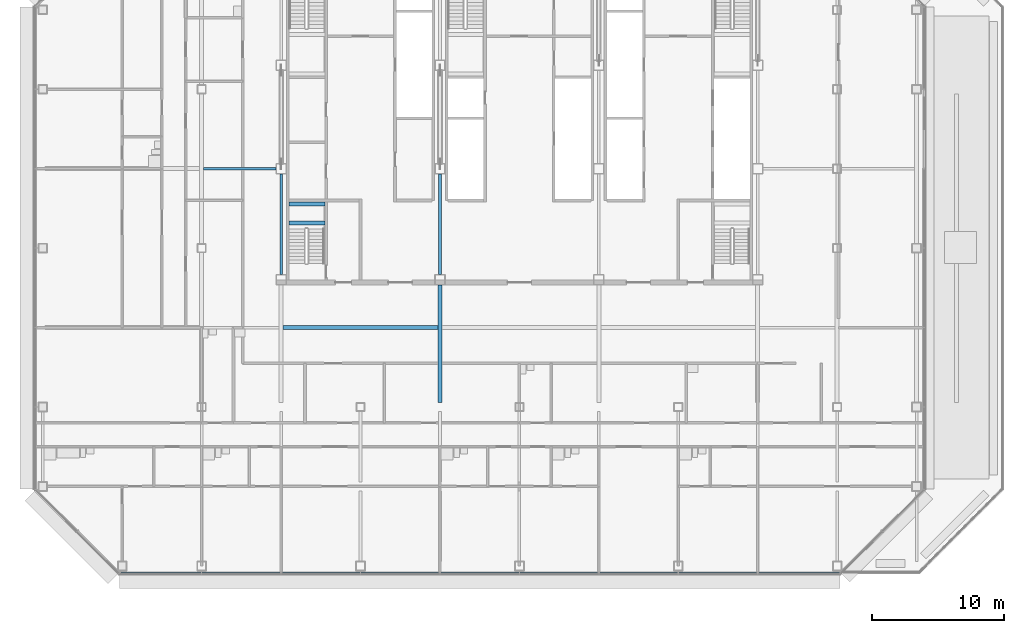
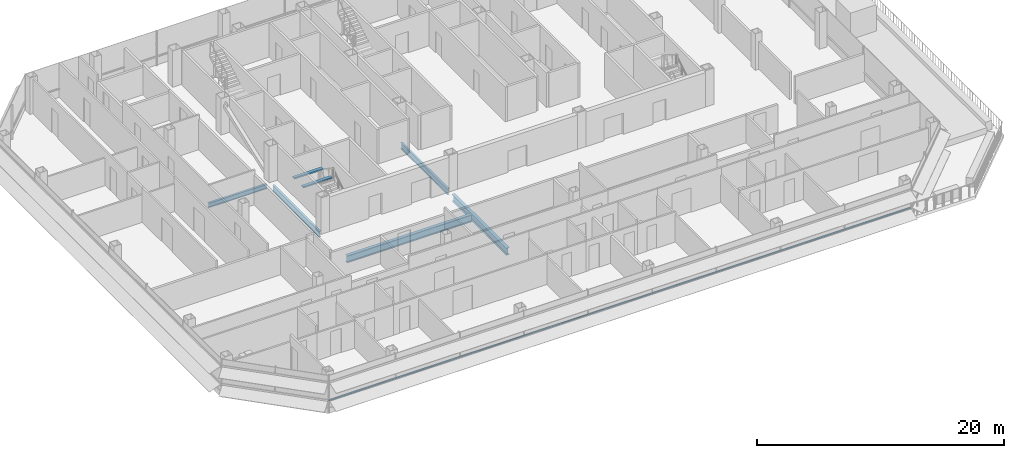
# One storey, part 7 of 27: 7 beams, 1 member, 1 element without a shape of its own.
"""IFC4 building model written with IfcOpenShell, lengths in metres."""

from ifc_helpers import new_model, si_unit, direction, frame, origin, origin_2d, place, context, subcontext, project, spatial, rectangle, i_section, extrude, material, material_profile, profile_set, type_object, element, aggregate, save


model = new_model("IFC4")

# Units and contexts
model_context = context("Model", 3, precision=1e-05, world=origin(), true_north=direction((0.0, 1.0)))
body_context = subcontext(model_context, "Body", "Model", "MODEL_VIEW")
ifc_project = project(units=[si_unit("LENGTHUNIT", "METRE"), si_unit("AREAUNIT", "SQUARE_METRE"), si_unit("VOLUMEUNIT", "CUBIC_METRE"), si_unit("PLANEANGLEUNIT", "RADIAN"), si_unit("MASSUNIT", "GRAM", prefix="KILO")], contexts=[model_context])

# Site, building, storey
site_placement = place(None, origin())
site = spatial("IfcSite", under=ifc_project, at=site_placement, CompositionType="ELEMENT")
building_placement = place(site_placement, origin())
building = spatial("IfcBuilding", under=site, at=building_placement, Name="Sorahane Residences", CompositionType="ELEMENT")
storey_placement = place(building_placement, frame((0.0, 0.0, 192.0)))
storey = spatial("IfcBuildingStorey", under=building, at=storey_placement, Name="L44", CompositionType="ELEMENT", Elevation=192.0)

# Curtain wall, member
ifc_material_1 = material(Name="Dark low-e glass and black anodised aluminium", Category="aluminium")
curtain_wall_type = type_object("IfcCurtainWallType", Name="Curtain wall CW-1 Typical unitised wall", PredefinedType="NOTDEFINED", material=ifc_material_1)
curtain_wall_placement = place(storey_placement, origin())
curtain_wall = element("IfcCurtainWall", 1, at=curtain_wall_placement, inside=storey, type_object=curtain_wall_type, Name="CW-1 curtain wall L44 S1", PredefinedType="NOTDEFINED")
ifc_material_2 = material(Name="Black anodised aluminium", Category="aluminium")
ifc_material_profile_1 = material_profile(ifc_material_2, rectangle(XDim=0.10009765625, YDim=0.06005859375, at=origin_2d()), Name="Curtain wall transom CW-1 black anodised aluminium 60x100")
ifc_profile_set_1 = profile_set([ifc_material_profile_1], Name="Black anodised aluminium")
member_type = type_object("IfcMemberType", Name="Curtain wall transom CW-1 black anodised aluminium 60x100", PredefinedType="USERDEFINED", material=ifc_profile_set_1)
member_placement = place(storey_placement, frame((-6.198486328125, -0.530029296875, 0.89990234375), z_axis=(1.0, 0.0, 0.0), x_axis=(0.0, 1.0, 0.0)))
member = element("IfcMember", 2, at=member_placement, type_object=member_type, Name="CW-1 transom L44 S1", ObjectType="TRANSOM", PredefinedType="USERDEFINED", context=body_context, shape_type="SweptSolid", body=[
    extrude(rectangle(XDim=0.10009765625, YDim=0.06005859375, at=origin_2d()), origin(), (0.0, 0.0, 1.0), 54.39697265625),
])
aggregate(curtain_wall, [member])

# Beams
ifc_material_3 = material(Name="Concrete C40", Category="concrete")
ifc_material_profile_2 = material_profile(ifc_material_3, rectangle(XDim=0.300048828125, YDim=0.139892578125, at=origin_2d()), Name="300x140")
ifc_profile_set_2 = profile_set([ifc_material_profile_2], Name="Concrete C40")
beam_type_1 = type_object("IfcBeamType", Name="RC landing beam 300 x 140 Concrete C40", PredefinedType="BEAM", material=ifc_profile_set_2)
for number, where, z_axis, x_axis, name in (
    (3, (6.60009765625, 25.89990234375, 1.530029296875), (1.0, 0.0, 0.0), (0.0, 1.0, 0.0), "Landing beam"),
    (4, (6.60009765625, 27.35009765625, 1.530029296875), (1.0, 0.0, 0.0), (0.0, 1.0, 0.0), "Landing beam"),
):
    element("IfcBeam", number, at=place(storey_placement, frame(where, z_axis=z_axis, x_axis=x_axis)), inside=storey, type_object=beam_type_1, Name=name, PredefinedType="BEAM", context=body_context, shape_type="SweptSolid", body=[
        extrude(rectangle(XDim=0.300048828125, YDim=0.139892578125, at=origin_2d()), origin(), (0.0, 0.0, 1.0), 2.699951171875),
    ])
ifc_material_4 = material(Name="Steel Q355B", Category="steel")
ifc_material_profile_3 = material_profile(ifc_material_4, i_section(OverallWidth=0.199951171875, OverallDepth=0.449951171875, WebThickness=0.009033203125, FlangeThickness=0.013916015625, FilletRadius=0.02001953125, at=origin_2d()), Name="HN 450x200x9x14")
ifc_profile_set_3 = profile_set([ifc_material_profile_3], Name="Steel Q355B")
beam_type_2 = type_object("IfcBeamType", Name="Steel floor beam HN 450x200x9x14 Q355B", PredefinedType="BEAM", material=ifc_profile_set_3)
beam_1_placement = place(storey_placement, frame((0.14990234375, 30.0, -0.52490234375), z_axis=(1.0, 0.0, 0.0), x_axis=(0.0, 1.0, 0.0)))
element("IfcBeam", 5, at=beam_1_placement, inside=storey, type_object=beam_type_2, Name="Beam L44 064", PredefinedType="BEAM", context=body_context, shape_type="SweptSolid", body=[
    extrude(i_section(OverallWidth=0.199951171875, OverallDepth=0.449951171875, WebThickness=0.009033203125, FlangeThickness=0.013916015625, FilletRadius=0.02001953125, at=origin_2d()), origin(), (0.0, 0.0, 1.0), 5.4501953125),
])
ifc_material_5 = material(Name="Steel Q355B", Category="steel")
ifc_material_profile_4 = material_profile(ifc_material_5, i_section(OverallWidth=0.199951171875, OverallDepth=0.60009765625, WebThickness=0.010986328125, FlangeThickness=0.01708984375, FilletRadius=0.02392578125, at=origin_2d()), Name="HN 600x200x11x17")
ifc_profile_set_4 = profile_set([ifc_material_profile_4], Name="Steel Q355B")
beam_type_3 = type_object("IfcBeamType", Name="Steel floor beam HN 600x200x11x17 Q355B", PredefinedType="BEAM", material=ifc_profile_set_4)
for number, where, z_axis, x_axis, name in (
    (6, (6.0, 22.0, -0.60009765625), (0.0, 1.0, 0.0), (-1.0, 0.0, 0.0), "Beam L44 009"),
    (7, (18.0, 22.0, -0.60009765625), (0.0, 1.0, 0.0), (-1.0, 0.0, 0.0), "Beam L44 019"),
):
    element("IfcBeam", number, at=place(storey_placement, frame(where, z_axis=z_axis, x_axis=x_axis)), inside=storey, type_object=beam_type_3, Name=name, PredefinedType="BEAM", context=body_context, shape_type="SweptSolid", body=[
        extrude(i_section(OverallWidth=0.199951171875, OverallDepth=0.60009765625, WebThickness=0.010986328125, FlangeThickness=0.01708984375, FilletRadius=0.02392578125, at=origin_2d()), origin(), (0.0, 0.0, 1.0), 7.60009765625),
    ])
ifc_material_6 = material(Name="Steel Q355B", Category="steel")
ifc_material_profile_5 = material_profile(ifc_material_6, i_section(OverallWidth=0.300048828125, OverallDepth=0.699951171875, WebThickness=0.012939453125, FlangeThickness=0.02392578125, FilletRadius=0.028076171875, at=origin_2d()), Name="HN 700x300x13x24")
ifc_profile_set_5 = profile_set([ifc_material_profile_5], Name="Steel Q355B")
beam_type_4 = type_object("IfcBeamType", Name="Steel floor beam HN 700x300x13x24 Q355B", PredefinedType="BEAM", material=ifc_profile_set_5)
beam_2_placement = place(storey_placement, frame((18.0, 12.35009765625, -0.64990234375), z_axis=(0.0, 1.0, 0.0), x_axis=(-1.0, 0.0, 0.0)))
element("IfcBeam", 8, at=beam_2_placement, inside=storey, type_object=beam_type_4, Name="Beam L44 018", PredefinedType="BEAM", context=body_context, shape_type="SweptSolid", body=[
    extrude(i_section(OverallWidth=0.300048828125, OverallDepth=0.699951171875, WebThickness=0.012939453125, FlangeThickness=0.02392578125, FilletRadius=0.028076171875, at=origin_2d()), origin(), (0.0, 0.0, 1.0), 8.849853515625),
])
beam_3_placement = place(storey_placement, frame((6.14990234375, 18.0, -0.64990234375), z_axis=(1.0, 0.0, 0.0), x_axis=(0.0, 1.0, 0.0)))
element("IfcBeam", 9, at=beam_3_placement, inside=storey, type_object=beam_type_4, Name="Beam L44 058", PredefinedType="BEAM", context=body_context, shape_type="SweptSolid", body=[
    extrude(i_section(OverallWidth=0.300048828125, OverallDepth=0.699951171875, WebThickness=0.012939453125, FlangeThickness=0.02392578125, FilletRadius=0.028076171875, at=origin_2d()), origin(), (0.0, 0.0, 1.0), 11.7001953125),
])

save(model, "model.ifc")
